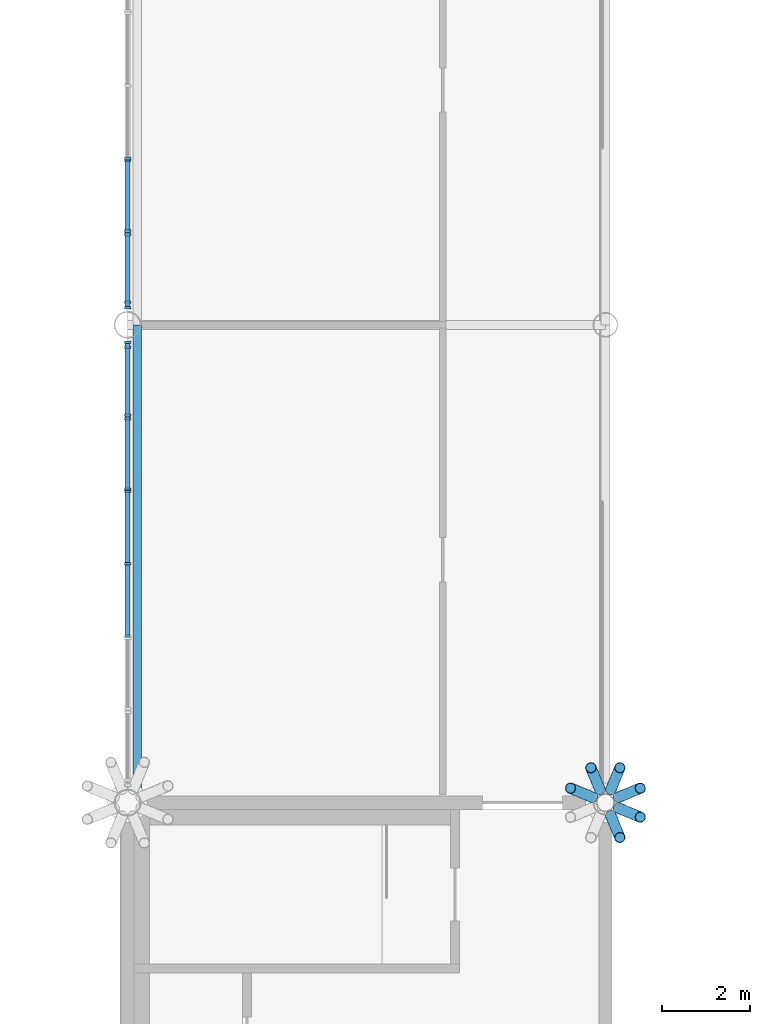
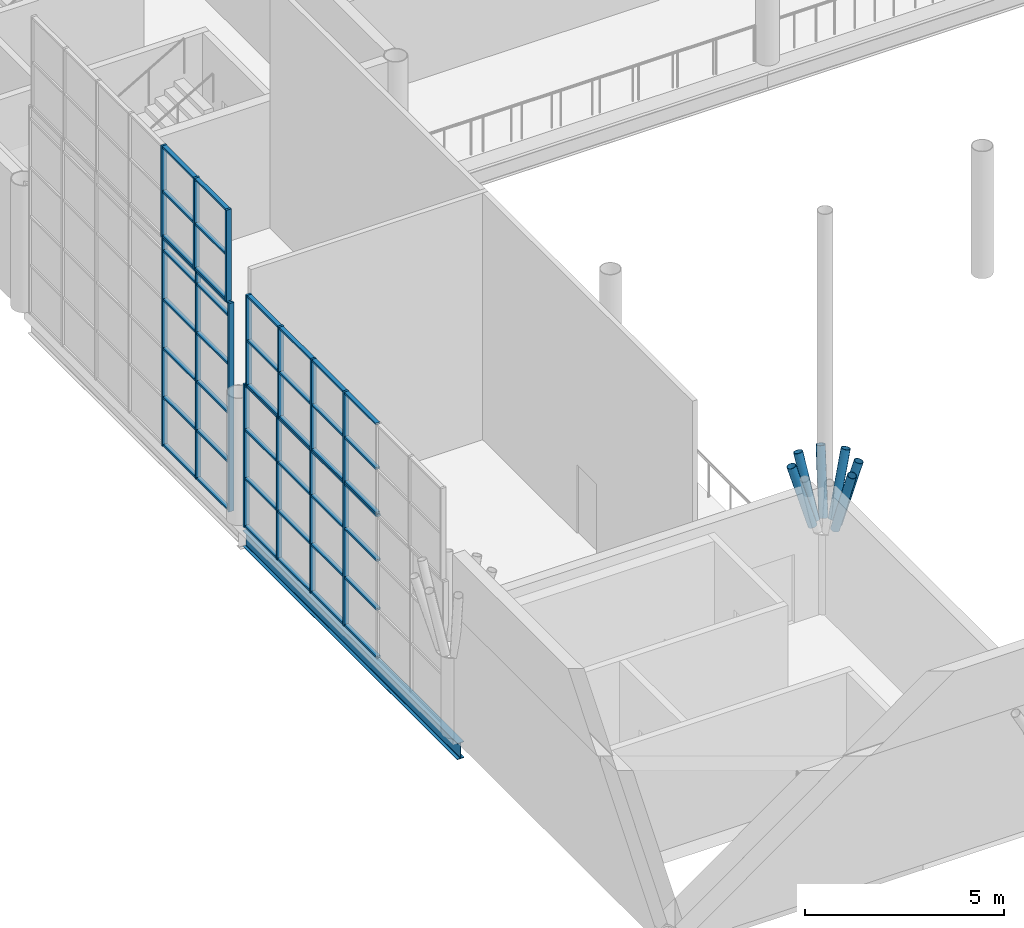
# One storey, part 14 of 95: 66 members, 1 beam, 4 elements without a shape of their own.
"""IFC4 building model written with IfcOpenShell, lengths in metres."""

from ifc_helpers import new_model, si_unit, direction, frame, origin, origin_2d, place, context, subcontext, project, spatial, rectangle, hollow_circle, i_section, extrude, material, layer, layer_set, material_profile, profile_set, type_object, element, aggregate, save


model = new_model("IFC4")

# Units and contexts
model_context = context("Model", 3, precision=1e-05, world=origin(), true_north=direction((0.0, 1.0)))
body_context = subcontext(model_context, "Body", "Model", "MODEL_VIEW")
ifc_project = project(units=[si_unit("LENGTHUNIT", "METRE"), si_unit("AREAUNIT", "SQUARE_METRE"), si_unit("VOLUMEUNIT", "CUBIC_METRE"), si_unit("PLANEANGLEUNIT", "RADIAN"), si_unit("MASSUNIT", "GRAM", prefix="KILO")], contexts=[model_context])

# Site, building, storey
site_placement = place(None, origin())
site = spatial("IfcSite", under=ifc_project, at=site_placement, CompositionType="ELEMENT")
building_placement = place(site_placement, origin())
building = spatial("IfcBuilding", under=site, at=building_placement, Name="Magnolia Steps Interchange", CompositionType="ELEMENT")
storey_placement = place(building_placement, frame((0.0, 0.0, 4.800048828125)))
storey = spatial("IfcBuildingStorey", under=building, at=storey_placement, Name="L01", CompositionType="ELEMENT", Elevation=4.800048828125)

# Curtain wall, members
ifc_material_1 = material(Name="Powder-coated aluminium and glass", Category="aluminium")
ifc_layer_1 = layer(ifc_material_1, 0.14990234375)
ifc_layer_set_1 = layer_set([ifc_layer_1], Name="Glazed hall curtain wall")
curtain_wall_type_1 = type_object("IfcCurtainWallType", Name="Glazed hall curtain wall", PredefinedType="NOTDEFINED", material=ifc_layer_set_1)
curtain_wall_1_placement = place(storey_placement, origin())
curtain_wall_1 = element("IfcCurtainWall", 1, at=curtain_wall_1_placement, inside=storey, type_object=curtain_wall_type_1, Name="Hall glazing W2 L01", PredefinedType="NOTDEFINED")
ifc_material_2 = material(Name="White powder-coated aluminium", Category="aluminium")
ifc_material_profile_1 = material_profile(ifc_material_2, rectangle(XDim=0.06005859375, YDim=0.14990234375, at=origin_2d()), Name="Aluminium mullion 60 x 150")
ifc_profile_set_1 = profile_set([ifc_material_profile_1], Name="White powder-coated aluminium")
member_type_1 = type_object("IfcMemberType", Name="Aluminium mullion 60 x 150", PredefinedType="MULLION", material=ifc_profile_set_1)
member_1_placement = place(storey_placement, frame((53.199951171875, 58.60009765625, 0.0), z_axis=(0.0, 0.0, 1.0), x_axis=(0.0, 1.0, 0.0)))
member_1 = element("IfcMember", 2, at=member_1_placement, type_object=member_type_1, Name="CW1 mullion 4", PredefinedType="MULLION", context=body_context, shape_type="SweptSolid", body=[
    extrude(rectangle(XDim=0.06005859375, YDim=0.14990234375, at=origin_2d()), origin(), (0.0, 0.0, 1.0), 4.39990234375),
])
member_2_placement = place(storey_placement, frame((53.199951171875, 60.280029296875, 0.0), z_axis=(0.0, 0.0, 1.0), x_axis=(0.0, 1.0, 0.0)))
member_2 = element("IfcMember", 3, at=member_2_placement, type_object=member_type_1, Name="CW1 mullion 5", PredefinedType="MULLION", context=body_context, shape_type="SweptSolid", body=[
    extrude(rectangle(XDim=0.06005859375, YDim=0.14990234375, at=origin_2d()), origin(), (0.0, 0.0, 1.0), 4.39990234375),
])
member_3_placement = place(storey_placement, frame((53.199951171875, 61.9599609375, 0.0), z_axis=(0.0, 0.0, 1.0), x_axis=(0.0, 1.0, 0.0)))
member_3 = element("IfcMember", 4, at=member_3_placement, type_object=member_type_1, Name="CW1 mullion 6", PredefinedType="MULLION", context=body_context, shape_type="SweptSolid", body=[
    extrude(rectangle(XDim=0.06005859375, YDim=0.14990234375, at=origin_2d()), origin(), (0.0, 0.0, 1.0), 4.39990234375),
])
member_4_placement = place(storey_placement, frame((53.199951171875, 63.610107421875, 0.0), z_axis=(0.0, 0.0, 1.0), x_axis=(0.0, 1.0, 0.0)))
member_4 = element("IfcMember", 5, at=member_4_placement, type_object=member_type_1, Name="CW1 mullion 7", PredefinedType="MULLION", context=body_context, shape_type="SweptSolid", body=[
    extrude(rectangle(XDim=0.06005859375, YDim=0.14990234375, at=origin_2d()), origin(), (0.0, 0.0, 1.0), 4.39990234375),
])

ifc_material_3 = material(Name="Powder-coated aluminium and glass", Category="aluminium")
ifc_layer_2 = layer(ifc_material_3, 0.1201171875)
ifc_layer_set_2 = layer_set([ifc_layer_2], Name="Hall clerestory curtain wall")
curtain_wall_type_2 = type_object("IfcCurtainWallType", Name="Hall clerestory curtain wall", PredefinedType="NOTDEFINED", material=ifc_layer_set_2)
curtain_wall_2_placement = place(storey_placement, origin())
curtain_wall_2 = element("IfcCurtainWall", 6, at=curtain_wall_2_placement, inside=storey, type_object=curtain_wall_type_2, Name="Hall clerestory W2", PredefinedType="NOTDEFINED")
member_5_placement = place(storey_placement, frame((53.199951171875, 58.60009765625, 4.39990234375), z_axis=(0.0, 0.0, 1.0), x_axis=(0.0, 1.0, 0.0)))
member_5 = element("IfcMember", 7, at=member_5_placement, type_object=member_type_1, Name="CW6 mullion 4", PredefinedType="MULLION", context=body_context, shape_type="SweptSolid", body=[
    extrude(rectangle(XDim=0.06005859375, YDim=0.14990234375, at=origin_2d()), origin(), (0.0, 0.0, 1.0), 2.800048828125),
])
member_6_placement = place(storey_placement, frame((53.199951171875, 60.239990234375, 4.39990234375), z_axis=(0.0, 0.0, 1.0), x_axis=(0.0, 1.0, 0.0)))
member_6 = element("IfcMember", 8, at=member_6_placement, type_object=member_type_1, Name="CW6 mullion 5", PredefinedType="MULLION", context=body_context, shape_type="SweptSolid", body=[
    extrude(rectangle(XDim=0.06005859375, YDim=0.14990234375, at=origin_2d()), origin(), (0.0, 0.0, 1.0), 2.800048828125),
])
member_7_placement = place(storey_placement, frame((53.199951171875, 61.8798828125, 4.39990234375), z_axis=(0.0, 0.0, 1.0), x_axis=(0.0, 1.0, 0.0)))
member_7 = element("IfcMember", 9, at=member_7_placement, type_object=member_type_1, Name="CW6 mullion 6", PredefinedType="MULLION", context=body_context, shape_type="SweptSolid", body=[
    extrude(rectangle(XDim=0.06005859375, YDim=0.14990234375, at=origin_2d()), origin(), (0.0, 0.0, 1.0), 2.800048828125),
])
member_8_placement = place(storey_placement, frame((53.199951171875, 63.489990234375, 4.39990234375), z_axis=(0.0, 0.0, 1.0), x_axis=(0.0, 1.0, 0.0)))
member_8 = element("IfcMember", 10, at=member_8_placement, type_object=member_type_1, Name="CW6 mullion 7", PredefinedType="MULLION", context=body_context, shape_type="SweptSolid", body=[
    extrude(rectangle(XDim=0.06005859375, YDim=0.14990234375, at=origin_2d()), origin(), (0.0, 0.0, 1.0), 2.800048828125),
])

curtain_wall_3_placement = place(storey_placement, origin())
curtain_wall_3 = element("IfcCurtainWall", 11, at=curtain_wall_3_placement, inside=storey, type_object=curtain_wall_type_1, Name="Hall glazing W3 L01", PredefinedType="NOTDEFINED")
member_9_placement = place(storey_placement, frame((53.199951171875, 64.389892578125, 0.0), z_axis=(0.0, 0.0, 1.0), x_axis=(0.0, 1.0, 0.0)))
member_9 = element("IfcMember", 12, at=member_9_placement, type_object=member_type_1, Name="CW1 mullion 1", PredefinedType="MULLION", context=body_context, shape_type="SweptSolid", body=[
    extrude(rectangle(XDim=0.06005859375, YDim=0.14990234375, at=origin_2d()), origin(), (0.0, 0.0, 1.0), 6.39990234375),
])
member_10_placement = place(storey_placement, frame((53.199951171875, 66.0400390625, 0.0), z_axis=(0.0, 0.0, 1.0), x_axis=(0.0, 1.0, 0.0)))
member_10 = element("IfcMember", 13, at=member_10_placement, type_object=member_type_1, Name="CW1 mullion 2", PredefinedType="MULLION", context=body_context, shape_type="SweptSolid", body=[
    extrude(rectangle(XDim=0.06005859375, YDim=0.14990234375, at=origin_2d()), origin(), (0.0, 0.0, 1.0), 6.39990234375),
])
member_11_placement = place(storey_placement, frame((53.199951171875, 67.719970703125, 0.0), z_axis=(0.0, 0.0, 1.0), x_axis=(0.0, 1.0, 0.0)))
member_11 = element("IfcMember", 14, at=member_11_placement, type_object=member_type_1, Name="CW1 mullion 3", PredefinedType="MULLION", context=body_context, shape_type="SweptSolid", body=[
    extrude(rectangle(XDim=0.06005859375, YDim=0.14990234375, at=origin_2d()), origin(), (0.0, 0.0, 1.0), 6.39990234375),
])

curtain_wall_4_placement = place(storey_placement, origin())
curtain_wall_4 = element("IfcCurtainWall", 15, at=curtain_wall_4_placement, inside=storey, type_object=curtain_wall_type_2, Name="Hall clerestory W3", PredefinedType="NOTDEFINED")
member_12_placement = place(storey_placement, frame((53.199951171875, 64.510009765625, 6.39990234375), z_axis=(0.0, 0.0, 1.0), x_axis=(0.0, 1.0, 0.0)))
member_12 = element("IfcMember", 16, at=member_12_placement, type_object=member_type_1, Name="CW6 mullion 1", PredefinedType="MULLION", context=body_context, shape_type="SweptSolid", body=[
    extrude(rectangle(XDim=0.06005859375, YDim=0.14990234375, at=origin_2d()), origin(), (0.0, 0.0, 1.0), 2.800048828125),
])
member_13_placement = place(storey_placement, frame((53.199951171875, 66.1201171875, 6.39990234375), z_axis=(0.0, 0.0, 1.0), x_axis=(0.0, 1.0, 0.0)))
member_13 = element("IfcMember", 17, at=member_13_placement, type_object=member_type_1, Name="CW6 mullion 2", PredefinedType="MULLION", context=body_context, shape_type="SweptSolid", body=[
    extrude(rectangle(XDim=0.06005859375, YDim=0.14990234375, at=origin_2d()), origin(), (0.0, 0.0, 1.0), 2.800048828125),
])
member_14_placement = place(storey_placement, frame((53.199951171875, 67.760009765625, 6.39990234375), z_axis=(0.0, 0.0, 1.0), x_axis=(0.0, 1.0, 0.0)))
member_14 = element("IfcMember", 18, at=member_14_placement, type_object=member_type_1, Name="CW6 mullion 3", PredefinedType="MULLION", context=body_context, shape_type="SweptSolid", body=[
    extrude(rectangle(XDim=0.06005859375, YDim=0.14990234375, at=origin_2d()), origin(), (0.0, 0.0, 1.0), 2.800048828125),
])

# Member
ifc_material_4 = material(Name="White powder-coated aluminium", Category="aluminium")
ifc_material_profile_2 = material_profile(ifc_material_4, rectangle(XDim=0.06005859375, YDim=0.1201171875, at=origin_2d()), Name="Aluminium transom 60 x 120")
ifc_profile_set_2 = profile_set([ifc_material_profile_2], Name="White powder-coated aluminium")
member_type_2 = type_object("IfcMemberType", Name="Aluminium transom 60 x 120", PredefinedType="USERDEFINED", material=ifc_profile_set_2)
member_15_placement = place(storey_placement, frame((53.199951171875, 56.949951171875, 0.030029296875), z_axis=(0.0, 1.0, 0.0), x_axis=(0.0, 0.0, 1.0)))
member_15 = element("IfcMember", 19, at=member_15_placement, type_object=member_type_2, Name="CW1 transom 3.1", ObjectType="TRANSOM", PredefinedType="USERDEFINED", context=body_context, shape_type="SweptSolid", body=[
    extrude(rectangle(XDim=0.06005859375, YDim=0.1201171875, at=origin_2d()), origin(), (0.0, 0.0, 1.0), 1.6201171875),
])

member_16_placement = place(storey_placement, frame((53.199951171875, 56.949951171875, 1.5), z_axis=(0.0, 1.0, 0.0), x_axis=(0.0, 0.0, 1.0)))
member_16 = element("IfcMember", 20, at=member_16_placement, type_object=member_type_2, Name="CW1 transom 3.2", ObjectType="TRANSOM", PredefinedType="USERDEFINED", context=body_context, shape_type="SweptSolid", body=[
    extrude(rectangle(XDim=0.06005859375, YDim=0.1201171875, at=origin_2d()), origin(), (0.0, 0.0, 1.0), 1.6201171875),
])

member_17_placement = place(storey_placement, frame((53.199951171875, 56.949951171875, 3.0), z_axis=(0.0, 1.0, 0.0), x_axis=(0.0, 0.0, 1.0)))
member_17 = element("IfcMember", 21, at=member_17_placement, type_object=member_type_2, Name="CW1 transom 3.3", ObjectType="TRANSOM", PredefinedType="USERDEFINED", context=body_context, shape_type="SweptSolid", body=[
    extrude(rectangle(XDim=0.06005859375, YDim=0.1201171875, at=origin_2d()), origin(), (0.0, 0.0, 1.0), 1.6201171875),
])

member_18_placement = place(storey_placement, frame((53.199951171875, 56.949951171875, 4.369873046875), z_axis=(0.0, 1.0, 0.0), x_axis=(0.0, 0.0, 1.0)))
member_18 = element("IfcMember", 22, at=member_18_placement, type_object=member_type_2, Name="CW1 transom 3.4", ObjectType="TRANSOM", PredefinedType="USERDEFINED", context=body_context, shape_type="SweptSolid", body=[
    extrude(rectangle(XDim=0.06005859375, YDim=0.1201171875, at=origin_2d()), origin(), (0.0, 0.0, 1.0), 1.6201171875),
])

member_19_placement = place(storey_placement, frame((53.199951171875, 58.6298828125, 0.030029296875), z_axis=(0.0, 1.0, 0.0), x_axis=(0.0, 0.0, 1.0)))
member_19 = element("IfcMember", 23, at=member_19_placement, type_object=member_type_2, Name="CW1 transom 4.1", ObjectType="TRANSOM", PredefinedType="USERDEFINED", context=body_context, shape_type="SweptSolid", body=[
    extrude(rectangle(XDim=0.06005859375, YDim=0.1201171875, at=origin_2d()), origin(), (0.0, 0.0, 1.0), 1.6201171875),
])

member_20_placement = place(storey_placement, frame((53.199951171875, 58.6298828125, 1.5), z_axis=(0.0, 1.0, 0.0), x_axis=(0.0, 0.0, 1.0)))
member_20 = element("IfcMember", 24, at=member_20_placement, type_object=member_type_2, Name="CW1 transom 4.2", ObjectType="TRANSOM", PredefinedType="USERDEFINED", context=body_context, shape_type="SweptSolid", body=[
    extrude(rectangle(XDim=0.06005859375, YDim=0.1201171875, at=origin_2d()), origin(), (0.0, 0.0, 1.0), 1.6201171875),
])

member_21_placement = place(storey_placement, frame((53.199951171875, 58.6298828125, 3.0), z_axis=(0.0, 1.0, 0.0), x_axis=(0.0, 0.0, 1.0)))
member_21 = element("IfcMember", 25, at=member_21_placement, type_object=member_type_2, Name="CW1 transom 4.3", ObjectType="TRANSOM", PredefinedType="USERDEFINED", context=body_context, shape_type="SweptSolid", body=[
    extrude(rectangle(XDim=0.06005859375, YDim=0.1201171875, at=origin_2d()), origin(), (0.0, 0.0, 1.0), 1.6201171875),
])

member_22_placement = place(storey_placement, frame((53.199951171875, 58.6298828125, 4.369873046875), z_axis=(0.0, 1.0, 0.0), x_axis=(0.0, 0.0, 1.0)))
member_22 = element("IfcMember", 26, at=member_22_placement, type_object=member_type_2, Name="CW1 transom 4.4", ObjectType="TRANSOM", PredefinedType="USERDEFINED", context=body_context, shape_type="SweptSolid", body=[
    extrude(rectangle(XDim=0.06005859375, YDim=0.1201171875, at=origin_2d()), origin(), (0.0, 0.0, 1.0), 1.6201171875),
])

member_23_placement = place(storey_placement, frame((53.199951171875, 60.31005859375, 0.030029296875), z_axis=(0.0, 1.0, 0.0), x_axis=(0.0, 0.0, 1.0)))
member_23 = element("IfcMember", 27, at=member_23_placement, type_object=member_type_2, Name="CW1 transom 5.1", ObjectType="TRANSOM", PredefinedType="USERDEFINED", context=body_context, shape_type="SweptSolid", body=[
    extrude(rectangle(XDim=0.06005859375, YDim=0.1201171875, at=origin_2d()), origin(), (0.0, 0.0, 1.0), 1.619873046875),
])

member_24_placement = place(storey_placement, frame((53.199951171875, 60.31005859375, 1.5), z_axis=(0.0, 1.0, 0.0), x_axis=(0.0, 0.0, 1.0)))
member_24 = element("IfcMember", 28, at=member_24_placement, type_object=member_type_2, Name="CW1 transom 5.2", ObjectType="TRANSOM", PredefinedType="USERDEFINED", context=body_context, shape_type="SweptSolid", body=[
    extrude(rectangle(XDim=0.06005859375, YDim=0.1201171875, at=origin_2d()), origin(), (0.0, 0.0, 1.0), 1.619873046875),
])

member_25_placement = place(storey_placement, frame((53.199951171875, 60.31005859375, 3.0), z_axis=(0.0, 1.0, 0.0), x_axis=(0.0, 0.0, 1.0)))
member_25 = element("IfcMember", 29, at=member_25_placement, type_object=member_type_2, Name="CW1 transom 5.3", ObjectType="TRANSOM", PredefinedType="USERDEFINED", context=body_context, shape_type="SweptSolid", body=[
    extrude(rectangle(XDim=0.06005859375, YDim=0.1201171875, at=origin_2d()), origin(), (0.0, 0.0, 1.0), 1.619873046875),
])

member_26_placement = place(storey_placement, frame((53.199951171875, 60.31005859375, 4.369873046875), z_axis=(0.0, 1.0, 0.0), x_axis=(0.0, 0.0, 1.0)))
member_26 = element("IfcMember", 30, at=member_26_placement, type_object=member_type_2, Name="CW1 transom 5.4", ObjectType="TRANSOM", PredefinedType="USERDEFINED", context=body_context, shape_type="SweptSolid", body=[
    extrude(rectangle(XDim=0.06005859375, YDim=0.1201171875, at=origin_2d()), origin(), (0.0, 0.0, 1.0), 1.619873046875),
])

member_27_placement = place(storey_placement, frame((53.199951171875, 61.989990234375, 0.030029296875), z_axis=(0.0, 1.0, 0.0), x_axis=(0.0, 0.0, 1.0)))
member_27 = element("IfcMember", 31, at=member_27_placement, type_object=member_type_2, Name="CW1 transom 6.1", ObjectType="TRANSOM", PredefinedType="USERDEFINED", context=body_context, shape_type="SweptSolid", body=[
    extrude(rectangle(XDim=0.06005859375, YDim=0.1201171875, at=origin_2d()), origin(), (0.0, 0.0, 1.0), 1.590087890625),
])

member_28_placement = place(storey_placement, frame((53.199951171875, 61.989990234375, 1.5), z_axis=(0.0, 1.0, 0.0), x_axis=(0.0, 0.0, 1.0)))
member_28 = element("IfcMember", 32, at=member_28_placement, type_object=member_type_2, Name="CW1 transom 6.2", ObjectType="TRANSOM", PredefinedType="USERDEFINED", context=body_context, shape_type="SweptSolid", body=[
    extrude(rectangle(XDim=0.06005859375, YDim=0.1201171875, at=origin_2d()), origin(), (0.0, 0.0, 1.0), 1.590087890625),
])

member_29_placement = place(storey_placement, frame((53.199951171875, 61.989990234375, 3.0), z_axis=(0.0, 1.0, 0.0), x_axis=(0.0, 0.0, 1.0)))
member_29 = element("IfcMember", 33, at=member_29_placement, type_object=member_type_2, Name="CW1 transom 6.3", ObjectType="TRANSOM", PredefinedType="USERDEFINED", context=body_context, shape_type="SweptSolid", body=[
    extrude(rectangle(XDim=0.06005859375, YDim=0.1201171875, at=origin_2d()), origin(), (0.0, 0.0, 1.0), 1.590087890625),
])

member_30_placement = place(storey_placement, frame((53.199951171875, 61.989990234375, 4.369873046875), z_axis=(0.0, 1.0, 0.0), x_axis=(0.0, 0.0, 1.0)))
member_30 = element("IfcMember", 34, at=member_30_placement, type_object=member_type_2, Name="CW1 transom 6.4", ObjectType="TRANSOM", PredefinedType="USERDEFINED", context=body_context, shape_type="SweptSolid", body=[
    extrude(rectangle(XDim=0.06005859375, YDim=0.1201171875, at=origin_2d()), origin(), (0.0, 0.0, 1.0), 1.590087890625),
])

aggregate(curtain_wall_1, [member_1, member_2, member_3, member_4, member_15, member_16, member_17, member_18, member_19, member_20, member_21, member_22, member_23, member_24, member_25, member_26, member_27, member_28, member_29, member_30])

member_31_placement = place(storey_placement, frame((53.199951171875, 56.989990234375, 4.429931640625), z_axis=(0.0, 1.0, 0.0), x_axis=(0.0, 0.0, 1.0)))
member_31 = element("IfcMember", 35, at=member_31_placement, type_object=member_type_2, Name="CW6 transom 3.1", ObjectType="TRANSOM", PredefinedType="USERDEFINED", context=body_context, shape_type="SweptSolid", body=[
    extrude(rectangle(XDim=0.06005859375, YDim=0.1201171875, at=origin_2d()), origin(), (0.0, 0.0, 1.0), 1.580078125),
])

member_32_placement = place(storey_placement, frame((53.199951171875, 56.989990234375, 5.800048828125), z_axis=(0.0, 1.0, 0.0), x_axis=(0.0, 0.0, 1.0)))
member_32 = element("IfcMember", 36, at=member_32_placement, type_object=member_type_2, Name="CW6 transom 3.2", ObjectType="TRANSOM", PredefinedType="USERDEFINED", context=body_context, shape_type="SweptSolid", body=[
    extrude(rectangle(XDim=0.06005859375, YDim=0.1201171875, at=origin_2d()), origin(), (0.0, 0.0, 1.0), 1.580078125),
])

member_33_placement = place(storey_placement, frame((53.199951171875, 56.989990234375, 7.169921875), z_axis=(0.0, 1.0, 0.0), x_axis=(0.0, 0.0, 1.0)))
member_33 = element("IfcMember", 37, at=member_33_placement, type_object=member_type_2, Name="CW6 transom 3.3", ObjectType="TRANSOM", PredefinedType="USERDEFINED", context=body_context, shape_type="SweptSolid", body=[
    extrude(rectangle(XDim=0.06005859375, YDim=0.1201171875, at=origin_2d()), origin(), (0.0, 0.0, 1.0), 1.580078125),
])

member_34_placement = place(storey_placement, frame((53.199951171875, 58.6298828125, 4.429931640625), z_axis=(0.0, 1.0, 0.0), x_axis=(0.0, 0.0, 1.0)))
member_34 = element("IfcMember", 38, at=member_34_placement, type_object=member_type_2, Name="CW6 transom 4.1", ObjectType="TRANSOM", PredefinedType="USERDEFINED", context=body_context, shape_type="SweptSolid", body=[
    extrude(rectangle(XDim=0.06005859375, YDim=0.1201171875, at=origin_2d()), origin(), (0.0, 0.0, 1.0), 1.580078125),
])

member_35_placement = place(storey_placement, frame((53.199951171875, 58.6298828125, 5.800048828125), z_axis=(0.0, 1.0, 0.0), x_axis=(0.0, 0.0, 1.0)))
member_35 = element("IfcMember", 39, at=member_35_placement, type_object=member_type_2, Name="CW6 transom 4.2", ObjectType="TRANSOM", PredefinedType="USERDEFINED", context=body_context, shape_type="SweptSolid", body=[
    extrude(rectangle(XDim=0.06005859375, YDim=0.1201171875, at=origin_2d()), origin(), (0.0, 0.0, 1.0), 1.580078125),
])

member_36_placement = place(storey_placement, frame((53.199951171875, 58.6298828125, 7.169921875), z_axis=(0.0, 1.0, 0.0), x_axis=(0.0, 0.0, 1.0)))
member_36 = element("IfcMember", 40, at=member_36_placement, type_object=member_type_2, Name="CW6 transom 4.3", ObjectType="TRANSOM", PredefinedType="USERDEFINED", context=body_context, shape_type="SweptSolid", body=[
    extrude(rectangle(XDim=0.06005859375, YDim=0.1201171875, at=origin_2d()), origin(), (0.0, 0.0, 1.0), 1.580078125),
])

member_37_placement = place(storey_placement, frame((53.199951171875, 60.27001953125, 4.429931640625), z_axis=(0.0, 1.0, 0.0), x_axis=(0.0, 0.0, 1.0)))
member_37 = element("IfcMember", 41, at=member_37_placement, type_object=member_type_2, Name="CW6 transom 5.1", ObjectType="TRANSOM", PredefinedType="USERDEFINED", context=body_context, shape_type="SweptSolid", body=[
    extrude(rectangle(XDim=0.06005859375, YDim=0.1201171875, at=origin_2d()), origin(), (0.0, 0.0, 1.0), 1.580078125),
])

member_38_placement = place(storey_placement, frame((53.199951171875, 60.27001953125, 5.800048828125), z_axis=(0.0, 1.0, 0.0), x_axis=(0.0, 0.0, 1.0)))
member_38 = element("IfcMember", 42, at=member_38_placement, type_object=member_type_2, Name="CW6 transom 5.2", ObjectType="TRANSOM", PredefinedType="USERDEFINED", context=body_context, shape_type="SweptSolid", body=[
    extrude(rectangle(XDim=0.06005859375, YDim=0.1201171875, at=origin_2d()), origin(), (0.0, 0.0, 1.0), 1.580078125),
])

member_39_placement = place(storey_placement, frame((53.199951171875, 60.27001953125, 7.169921875), z_axis=(0.0, 1.0, 0.0), x_axis=(0.0, 0.0, 1.0)))
member_39 = element("IfcMember", 43, at=member_39_placement, type_object=member_type_2, Name="CW6 transom 5.3", ObjectType="TRANSOM", PredefinedType="USERDEFINED", context=body_context, shape_type="SweptSolid", body=[
    extrude(rectangle(XDim=0.06005859375, YDim=0.1201171875, at=origin_2d()), origin(), (0.0, 0.0, 1.0), 1.580078125),
])

member_40_placement = place(storey_placement, frame((53.199951171875, 61.909912109375, 4.429931640625), z_axis=(0.0, 1.0, 0.0), x_axis=(0.0, 0.0, 1.0)))
member_40 = element("IfcMember", 44, at=member_40_placement, type_object=member_type_2, Name="CW6 transom 6.1", ObjectType="TRANSOM", PredefinedType="USERDEFINED", context=body_context, shape_type="SweptSolid", body=[
    extrude(rectangle(XDim=0.06005859375, YDim=0.1201171875, at=origin_2d()), origin(), (0.0, 0.0, 1.0), 1.550048828125),
])

member_41_placement = place(storey_placement, frame((53.199951171875, 61.909912109375, 5.800048828125), z_axis=(0.0, 1.0, 0.0), x_axis=(0.0, 0.0, 1.0)))
member_41 = element("IfcMember", 45, at=member_41_placement, type_object=member_type_2, Name="CW6 transom 6.2", ObjectType="TRANSOM", PredefinedType="USERDEFINED", context=body_context, shape_type="SweptSolid", body=[
    extrude(rectangle(XDim=0.06005859375, YDim=0.1201171875, at=origin_2d()), origin(), (0.0, 0.0, 1.0), 1.550048828125),
])

member_42_placement = place(storey_placement, frame((53.199951171875, 61.909912109375, 7.169921875), z_axis=(0.0, 1.0, 0.0), x_axis=(0.0, 0.0, 1.0)))
member_42 = element("IfcMember", 46, at=member_42_placement, type_object=member_type_2, Name="CW6 transom 6.3", ObjectType="TRANSOM", PredefinedType="USERDEFINED", context=body_context, shape_type="SweptSolid", body=[
    extrude(rectangle(XDim=0.06005859375, YDim=0.1201171875, at=origin_2d()), origin(), (0.0, 0.0, 1.0), 1.550048828125),
])

aggregate(curtain_wall_2, [member_5, member_6, member_7, member_8, member_31, member_32, member_33, member_34, member_35, member_36, member_37, member_38, member_39, member_40, member_41, member_42])

member_43_placement = place(storey_placement, frame((53.199951171875, 64.419921875, 0.030029296875), z_axis=(0.0, 1.0, 0.0), x_axis=(0.0, 0.0, 1.0)))
member_43 = element("IfcMember", 47, at=member_43_placement, type_object=member_type_2, Name="CW1 transom 1.1", ObjectType="TRANSOM", PredefinedType="USERDEFINED", context=body_context, shape_type="SweptSolid", body=[
    extrude(rectangle(XDim=0.06005859375, YDim=0.1201171875, at=origin_2d()), origin(), (0.0, 0.0, 1.0), 1.590087890625),
])

member_44_placement = place(storey_placement, frame((53.199951171875, 64.419921875, 1.5), z_axis=(0.0, 1.0, 0.0), x_axis=(0.0, 0.0, 1.0)))
member_44 = element("IfcMember", 48, at=member_44_placement, type_object=member_type_2, Name="CW1 transom 1.2", ObjectType="TRANSOM", PredefinedType="USERDEFINED", context=body_context, shape_type="SweptSolid", body=[
    extrude(rectangle(XDim=0.06005859375, YDim=0.1201171875, at=origin_2d()), origin(), (0.0, 0.0, 1.0), 1.590087890625),
])

member_45_placement = place(storey_placement, frame((53.199951171875, 64.419921875, 3.0), z_axis=(0.0, 1.0, 0.0), x_axis=(0.0, 0.0, 1.0)))
member_45 = element("IfcMember", 49, at=member_45_placement, type_object=member_type_2, Name="CW1 transom 1.3", ObjectType="TRANSOM", PredefinedType="USERDEFINED", context=body_context, shape_type="SweptSolid", body=[
    extrude(rectangle(XDim=0.06005859375, YDim=0.1201171875, at=origin_2d()), origin(), (0.0, 0.0, 1.0), 1.590087890625),
])

member_46_placement = place(storey_placement, frame((53.199951171875, 64.419921875, 4.5), z_axis=(0.0, 1.0, 0.0), x_axis=(0.0, 0.0, 1.0)))
member_46 = element("IfcMember", 50, at=member_46_placement, type_object=member_type_2, Name="CW1 transom 1.4", ObjectType="TRANSOM", PredefinedType="USERDEFINED", context=body_context, shape_type="SweptSolid", body=[
    extrude(rectangle(XDim=0.06005859375, YDim=0.1201171875, at=origin_2d()), origin(), (0.0, 0.0, 1.0), 1.590087890625),
])

member_47_placement = place(storey_placement, frame((53.199951171875, 64.419921875, 6.0), z_axis=(0.0, 1.0, 0.0), x_axis=(0.0, 0.0, 1.0)))
member_47 = element("IfcMember", 51, at=member_47_placement, type_object=member_type_2, Name="CW1 transom 1.5", ObjectType="TRANSOM", PredefinedType="USERDEFINED", context=body_context, shape_type="SweptSolid", body=[
    extrude(rectangle(XDim=0.06005859375, YDim=0.1201171875, at=origin_2d()), origin(), (0.0, 0.0, 1.0), 1.590087890625),
])

member_48_placement = place(storey_placement, frame((53.199951171875, 64.419921875, 6.369873046875), z_axis=(0.0, 1.0, 0.0), x_axis=(0.0, 0.0, 1.0)))
member_48 = element("IfcMember", 52, at=member_48_placement, type_object=member_type_2, Name="CW1 transom 1.6", ObjectType="TRANSOM", PredefinedType="USERDEFINED", context=body_context, shape_type="SweptSolid", body=[
    extrude(rectangle(XDim=0.06005859375, YDim=0.1201171875, at=origin_2d()), origin(), (0.0, 0.0, 1.0), 1.590087890625),
])

member_49_placement = place(storey_placement, frame((53.199951171875, 66.070068359375, 0.030029296875), z_axis=(0.0, 1.0, 0.0), x_axis=(0.0, 0.0, 1.0)))
member_49 = element("IfcMember", 53, at=member_49_placement, type_object=member_type_2, Name="CW1 transom 2.1", ObjectType="TRANSOM", PredefinedType="USERDEFINED", context=body_context, shape_type="SweptSolid", body=[
    extrude(rectangle(XDim=0.06005859375, YDim=0.1201171875, at=origin_2d()), origin(), (0.0, 0.0, 1.0), 1.619873046875),
])

member_50_placement = place(storey_placement, frame((53.199951171875, 66.070068359375, 1.5), z_axis=(0.0, 1.0, 0.0), x_axis=(0.0, 0.0, 1.0)))
member_50 = element("IfcMember", 54, at=member_50_placement, type_object=member_type_2, Name="CW1 transom 2.2", ObjectType="TRANSOM", PredefinedType="USERDEFINED", context=body_context, shape_type="SweptSolid", body=[
    extrude(rectangle(XDim=0.06005859375, YDim=0.1201171875, at=origin_2d()), origin(), (0.0, 0.0, 1.0), 1.619873046875),
])

member_51_placement = place(storey_placement, frame((53.199951171875, 66.070068359375, 3.0), z_axis=(0.0, 1.0, 0.0), x_axis=(0.0, 0.0, 1.0)))
member_51 = element("IfcMember", 55, at=member_51_placement, type_object=member_type_2, Name="CW1 transom 2.3", ObjectType="TRANSOM", PredefinedType="USERDEFINED", context=body_context, shape_type="SweptSolid", body=[
    extrude(rectangle(XDim=0.06005859375, YDim=0.1201171875, at=origin_2d()), origin(), (0.0, 0.0, 1.0), 1.619873046875),
])

member_52_placement = place(storey_placement, frame((53.199951171875, 66.070068359375, 4.5), z_axis=(0.0, 1.0, 0.0), x_axis=(0.0, 0.0, 1.0)))
member_52 = element("IfcMember", 56, at=member_52_placement, type_object=member_type_2, Name="CW1 transom 2.4", ObjectType="TRANSOM", PredefinedType="USERDEFINED", context=body_context, shape_type="SweptSolid", body=[
    extrude(rectangle(XDim=0.06005859375, YDim=0.1201171875, at=origin_2d()), origin(), (0.0, 0.0, 1.0), 1.619873046875),
])

member_53_placement = place(storey_placement, frame((53.199951171875, 66.070068359375, 6.0), z_axis=(0.0, 1.0, 0.0), x_axis=(0.0, 0.0, 1.0)))
member_53 = element("IfcMember", 57, at=member_53_placement, type_object=member_type_2, Name="CW1 transom 2.5", ObjectType="TRANSOM", PredefinedType="USERDEFINED", context=body_context, shape_type="SweptSolid", body=[
    extrude(rectangle(XDim=0.06005859375, YDim=0.1201171875, at=origin_2d()), origin(), (0.0, 0.0, 1.0), 1.619873046875),
])

member_54_placement = place(storey_placement, frame((53.199951171875, 66.070068359375, 6.369873046875), z_axis=(0.0, 1.0, 0.0), x_axis=(0.0, 0.0, 1.0)))
member_54 = element("IfcMember", 58, at=member_54_placement, type_object=member_type_2, Name="CW1 transom 2.6", ObjectType="TRANSOM", PredefinedType="USERDEFINED", context=body_context, shape_type="SweptSolid", body=[
    extrude(rectangle(XDim=0.06005859375, YDim=0.1201171875, at=origin_2d()), origin(), (0.0, 0.0, 1.0), 1.619873046875),
])

aggregate(curtain_wall_3, [member_9, member_10, member_11, member_43, member_44, member_45, member_46, member_47, member_48, member_49, member_50, member_51, member_52, member_53, member_54])

member_55_placement = place(storey_placement, frame((53.199951171875, 64.5400390625, 6.429931640625), z_axis=(0.0, 1.0, 0.0), x_axis=(0.0, 0.0, 1.0)))
member_55 = element("IfcMember", 59, at=member_55_placement, type_object=member_type_2, Name="CW6 transom 1.1", ObjectType="TRANSOM", PredefinedType="USERDEFINED", context=body_context, shape_type="SweptSolid", body=[
    extrude(rectangle(XDim=0.06005859375, YDim=0.1201171875, at=origin_2d()), origin(), (0.0, 0.0, 1.0), 1.550048828125),
])

member_56_placement = place(storey_placement, frame((53.199951171875, 64.5400390625, 7.800048828125), z_axis=(0.0, 1.0, 0.0), x_axis=(0.0, 0.0, 1.0)))
member_56 = element("IfcMember", 60, at=member_56_placement, type_object=member_type_2, Name="CW6 transom 1.2", ObjectType="TRANSOM", PredefinedType="USERDEFINED", context=body_context, shape_type="SweptSolid", body=[
    extrude(rectangle(XDim=0.06005859375, YDim=0.1201171875, at=origin_2d()), origin(), (0.0, 0.0, 1.0), 1.550048828125),
])

member_57_placement = place(storey_placement, frame((53.199951171875, 64.5400390625, 9.169921875), z_axis=(0.0, 1.0, 0.0), x_axis=(0.0, 0.0, 1.0)))
member_57 = element("IfcMember", 61, at=member_57_placement, type_object=member_type_2, Name="CW6 transom 1.3", ObjectType="TRANSOM", PredefinedType="USERDEFINED", context=body_context, shape_type="SweptSolid", body=[
    extrude(rectangle(XDim=0.06005859375, YDim=0.1201171875, at=origin_2d()), origin(), (0.0, 0.0, 1.0), 1.550048828125),
])

member_58_placement = place(storey_placement, frame((53.199951171875, 66.14990234375, 6.429931640625), z_axis=(0.0, 1.0, 0.0), x_axis=(0.0, 0.0, 1.0)))
member_58 = element("IfcMember", 62, at=member_58_placement, type_object=member_type_2, Name="CW6 transom 2.1", ObjectType="TRANSOM", PredefinedType="USERDEFINED", context=body_context, shape_type="SweptSolid", body=[
    extrude(rectangle(XDim=0.06005859375, YDim=0.1201171875, at=origin_2d()), origin(), (0.0, 0.0, 1.0), 1.580078125),
])

member_59_placement = place(storey_placement, frame((53.199951171875, 66.14990234375, 7.800048828125), z_axis=(0.0, 1.0, 0.0), x_axis=(0.0, 0.0, 1.0)))
member_59 = element("IfcMember", 63, at=member_59_placement, type_object=member_type_2, Name="CW6 transom 2.2", ObjectType="TRANSOM", PredefinedType="USERDEFINED", context=body_context, shape_type="SweptSolid", body=[
    extrude(rectangle(XDim=0.06005859375, YDim=0.1201171875, at=origin_2d()), origin(), (0.0, 0.0, 1.0), 1.580078125),
])

member_60_placement = place(storey_placement, frame((53.199951171875, 66.14990234375, 9.169921875), z_axis=(0.0, 1.0, 0.0), x_axis=(0.0, 0.0, 1.0)))
member_60 = element("IfcMember", 64, at=member_60_placement, type_object=member_type_2, Name="CW6 transom 2.3", ObjectType="TRANSOM", PredefinedType="USERDEFINED", context=body_context, shape_type="SweptSolid", body=[
    extrude(rectangle(XDim=0.06005859375, YDim=0.1201171875, at=origin_2d()), origin(), (0.0, 0.0, 1.0), 1.580078125),
])

aggregate(curtain_wall_4, [member_12, member_13, member_14, member_55, member_56, member_57, member_58, member_59, member_60])

# Beam
ifc_material_5 = material(Name="Steel Q355B", Category="steel")
ifc_material_profile_3 = material_profile(ifc_material_5, i_section(OverallWidth=0.199951171875, OverallDepth=0.5, WebThickness=0.010009765625, FlangeThickness=0.01611328125, FilletRadius=0.02001953125, at=origin_2d()), Name="HN500x200")
ifc_profile_set_3 = profile_set([ifc_material_profile_3], Name="Steel Q355B")
beam_type = type_object("IfcBeamType", Name="Steel composite beam HN500x200", PredefinedType="BEAM", material=ifc_profile_set_3)
beam_placement = place(storey_placement, frame((53.419921875, 53.199951171875, -0.650146484375), z_axis=(0.0, 1.0, 0.0), x_axis=(-1.0, 0.0, 0.0)))
element("IfcBeam", 65, at=beam_placement, inside=storey, type_object=beam_type, Name="Beam L01 5 E-F", PredefinedType="BEAM", context=body_context, shape_type="SweptSolid", body=[
    extrude(i_section(OverallWidth=0.199951171875, OverallDepth=0.5, WebThickness=0.010009765625, FlangeThickness=0.01611328125, FilletRadius=0.02001953125, at=origin_2d()), origin(), (0.0, 0.0, 1.0), 10.800048828125),
])

# Members
ifc_material_6 = material(Name="Steel Q355B", Category="steel")
ifc_material_profile_4 = material_profile(ifc_material_6, hollow_circle(Radius=0.12255859375, WallThickness=0.011962890625, at=origin_2d()), Name="CHS245x12")
ifc_profile_set_4 = profile_set([ifc_material_profile_4], Name="Steel Q355B")
member_type_3 = type_object("IfcMemberType", Name="Tree rib CHS245x12", PredefinedType="USERDEFINED", material=ifc_profile_set_4)
for number, where, z_axis, x_axis, name in (
    (66, (64.295166015625, 53.322265625, 2.59423828125), (0.254645418779, 0.105452865921, 0.961267602577), (-0.382606875641, 0.923911239629, 0.0), "Tree rib TH02B"),
    (67, (64.122314453125, 53.4951171875, 2.59423828125), (0.105452865921, 0.254645418779, 0.961267602577), (-0.923911239629, 0.382606875641, 0.0), "Tree rib TH02B"),
    (68, (63.877685546875, 53.4951171875, 2.59423828125), (-0.105452865921, 0.254645418779, 0.961267602577), (-0.923911239629, -0.382606875641, 0.0), "Tree rib TH02B"),
    (69, (63.704833984375, 53.322265625, 2.59423828125), (-0.254645418779, 0.105452865921, 0.961267602577), (-0.382606875641, -0.923911239629, 0.0), "Tree rib TH02B"),
    (70, (64.122314453125, 52.90478515625, 2.59423828125), (0.105452865921, -0.254645418779, 0.961267602577), (0.923911239629, 0.382606875641, 0.0), "Tree rib TH02B"),
    (71, (64.295166015625, 53.07763671875, 2.59423828125), (0.254645418779, -0.105452865921, 0.961267602577), (0.382606875641, 0.923911239629, 0.0), "Tree rib TH02B"),
):
    element("IfcMember", number, at=place(storey_placement, frame(where, z_axis=z_axis, x_axis=x_axis)), inside=storey, type_object=member_type_3, Name=name, ObjectType="TREE RIB", PredefinedType="USERDEFINED", context=body_context, shape_type="SweptSolid", body=[
        extrude(hollow_circle(Radius=0.12255859375, WallThickness=0.011962890625, at=origin_2d()), origin(), (0.0, 0.0, 1.0), 1.9423828125),
    ])

save(model, "model.ifc")
